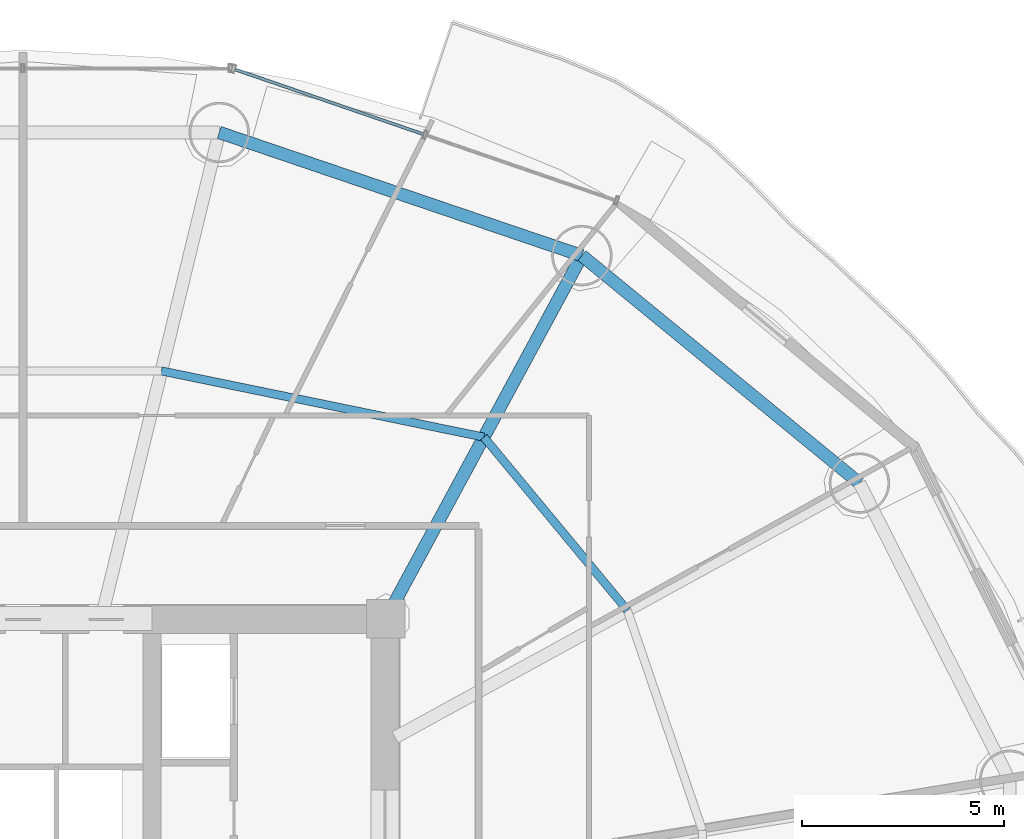
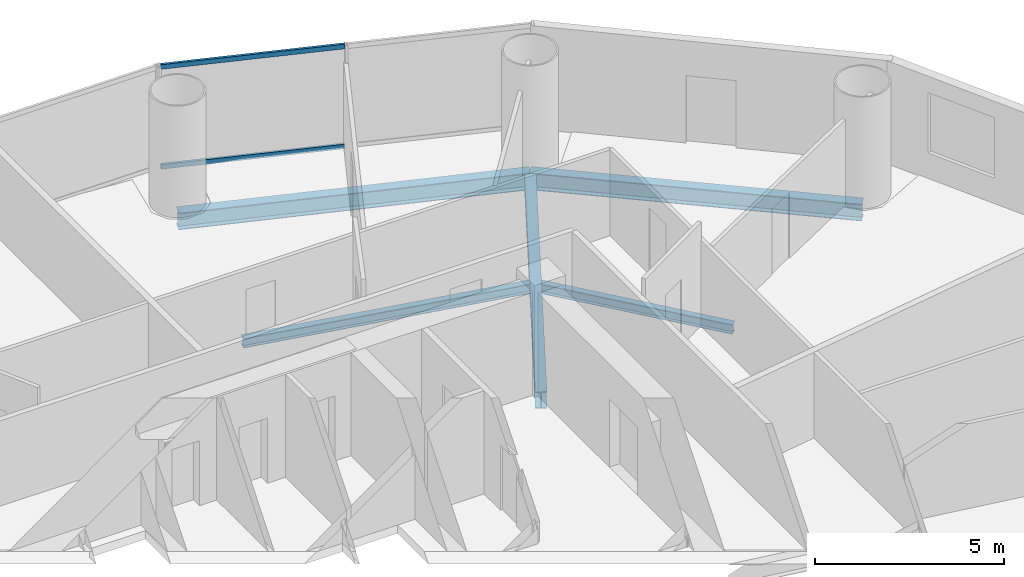
# One storey, part 19 of 29: 5 beams, 2 members, 1 element without a shape of its own.
"""IFC4 building model written with IfcOpenShell, lengths in metres."""

from ifc_helpers import new_model, si_unit, direction, frame, origin, origin_2d, place, context, subcontext, project, spatial, hollow_rectangle, i_section, extrude, source, transform, mapped, material, material_profile, profile_set, type_object, element, aggregate, save


model = new_model("IFC4")

# Units and contexts
model_context = context("Model", 3, precision=1e-05, world=origin(), true_north=direction((-0.2419218956, 0.970295726276)))
body_context = subcontext(model_context, "Body", "Model", "MODEL_VIEW")
ifc_project = project(units=[si_unit("LENGTHUNIT", "METRE"), si_unit("AREAUNIT", "SQUARE_METRE"), si_unit("VOLUMEUNIT", "CUBIC_METRE"), si_unit("PLANEANGLEUNIT", "RADIAN"), si_unit("MASSUNIT", "GRAM", prefix="KILO")], contexts=[model_context])

# Site, building, storey
site_placement = place(None, origin())
site = spatial("IfcSite", under=ifc_project, at=site_placement, CompositionType="ELEMENT")
building_placement = place(site_placement, origin())
building = spatial("IfcBuilding", under=site, at=building_placement, Name="Cobrevalo Terracotta Tower", CompositionType="ELEMENT")
storey_placement = place(building_placement, frame((0.0, 0.0, 87.0)))
storey = spatial("IfcBuildingStorey", under=building, at=storey_placement, Name="L22", CompositionType="ELEMENT", Elevation=87.0)

# Beams
ifc_material_1 = material(Name="Steel S355", Category="steel")
ifc_material_profile_1 = material_profile(ifc_material_1, i_section(OverallWidth=0.31201171875, OverallDepth=0.54296875, WebThickness=0.0126953125, FlangeThickness=0.020263671875, at=origin_2d()), Name="W 530x150")
ifc_profile_set_1 = profile_set([ifc_material_profile_1], Name="Steel S355")
beam_type_1 = type_object("IfcBeamType", Name="Structural Beam W 530x150 (Steel S355)", PredefinedType="BEAM", material=ifc_profile_set_1)
beam_1_placement = place(storey_placement, frame((51.861572265625, 43.803466796875, -0.54638671875), z_axis=(-0.475128224431, -0.879916570107, 0.0), x_axis=(0.879916570107, -0.475128224431, 0.0)))
element("IfcBeam", 1, at=beam_1_placement, inside=storey, type_object=beam_type_1, Name="L22 radial floor girder 03", PredefinedType="BEAM", context=body_context, shape_type="SweptSolid", body=[
    extrude(i_section(OverallWidth=0.31201171875, OverallDepth=0.54296875, WebThickness=0.0126953125, FlangeThickness=0.020263671875, at=origin_2d()), origin(), (0.0, 0.0, 1.0), 10.232177734375),
])
ifc_material_profile_2 = material_profile(ifc_material_1, i_section(OverallWidth=0.2041015625, OverallDepth=0.305908203125, WebThickness=0.008544921875, FlangeThickness=0.0146484375, at=origin_2d()), Name="W 310x67")
ifc_profile_set_2 = profile_set([ifc_material_profile_2], Name="Steel S355")
beam_type_2 = type_object("IfcBeamType", Name="Structural Joist W 310x67 (Steel S355)", PredefinedType="JOIST", material=ifc_profile_set_2)
beam_2_placement = place(storey_placement, frame((52.987548828125, 35.00830078125, -0.427978515625), z_axis=(-0.6379592588, 0.77007011636, 0.0), x_axis=(-0.77007011636, -0.6379592588, 0.0)))
element("IfcBeam", 2, at=beam_2_placement, inside=storey, type_object=beam_type_2, Name="L22 circumferential secondary floor joist 02", PredefinedType="JOIST", context=body_context, shape_type="SweptSolid", body=[
    extrude(i_section(OverallWidth=0.2041015625, OverallDepth=0.305908203125, WebThickness=0.008544921875, FlangeThickness=0.0146484375, at=origin_2d()), origin(), (0.0, 0.0, 1.0), 5.575439453125),
])
beam_3_placement = place(storey_placement, frame((49.4306640625, 39.3017578125, -0.427978515625), z_axis=(-0.979574469315, 0.201081722357, 0.0), x_axis=(-0.201081722357, -0.979574469315, 0.0)))
element("IfcBeam", 3, at=beam_3_placement, inside=storey, type_object=beam_type_2, Name="L22 circumferential secondary floor joist 03", PredefinedType="JOIST", context=body_context, shape_type="SweptSolid", body=[
    extrude(i_section(OverallWidth=0.2041015625, OverallDepth=0.305908203125, WebThickness=0.008544921875, FlangeThickness=0.0146484375, at=origin_2d()), origin(), (0.0, 0.0, 1.0), 8.1650390625),
])
ifc_material_profile_3 = material_profile(ifc_material_1, i_section(OverallWidth=0.31201171875, OverallDepth=0.54296875, WebThickness=0.0126953125, FlangeThickness=0.020263671875, at=origin_2d()), Name="W 530x150")
ifc_profile_set_3 = profile_set([ifc_material_profile_3], Name="Steel S355")
beam_type_3 = type_object("IfcBeamType", Name="Structural Spandrel W 530x150 (Steel S355)", PredefinedType="SPANDREL", material=ifc_profile_set_3)
beam_4_placement = place(storey_placement, frame((58.7451171875, 38.161376953125, -0.54638671875), z_axis=(-0.773400923541, 0.633917196064, 0.0), x_axis=(-0.633917196064, -0.773400923541, 0.0)))
element("IfcBeam", 4, at=beam_4_placement, inside=storey, type_object=beam_type_3, Name="L22 perimeter ring spandrel 02", PredefinedType="SPANDREL", context=body_context, shape_type="SweptSolid", body=[
    extrude(i_section(OverallWidth=0.31201171875, OverallDepth=0.54296875, WebThickness=0.0126953125, FlangeThickness=0.020263671875, at=origin_2d()), origin(), (0.0, 0.0, 1.0), 8.900390625),
])
beam_5_placement = place(storey_placement, frame((51.861572265625, 43.803466796875, -0.54638671875), z_axis=(-0.946910528816, 0.32149720126, 0.0), x_axis=(-0.32149720126, -0.946910528816, 0.0)))
element("IfcBeam", 5, at=beam_5_placement, inside=storey, type_object=beam_type_3, Name="L22 perimeter ring spandrel 03", PredefinedType="SPANDREL", context=body_context, shape_type="SweptSolid", body=[
    extrude(i_section(OverallWidth=0.31201171875, OverallDepth=0.54296875, WebThickness=0.0126953125, FlangeThickness=0.020263671875, at=origin_2d()), origin(), (0.0, 0.0, 1.0), 9.498291015625),
])

# Curtain wall, members
ifc_material_2 = material(Name="Anodized aluminium", Category="aluminium")
curtain_wall_type = type_object("IfcCurtainWallType", Name="Lower-tower unitised acoustic low-E curtain wall CW-U1", PredefinedType="NOTDEFINED", material=ifc_material_2)
curtain_wall_placement = place(storey_placement, origin())
curtain_wall = element("IfcCurtainWall", 6, at=curtain_wall_placement, inside=storey, type_object=curtain_wall_type, Name="L22 curtain wall CW-L22-S03", PredefinedType="NOTDEFINED")
ifc_material_profile_4 = material_profile(ifc_material_2, hollow_rectangle(XDim=0.074951171875, YDim=0.14990234375, WallThickness=0.00439453125, at=origin_2d()), Name="CWT 75x150")
ifc_profile_set_4 = profile_set([ifc_material_profile_4], Name="Anodized aluminium")
member_type = type_object("IfcMemberType", Name="Tower unitised aluminium transom 75x150", PredefinedType="USERDEFINED", material=ifc_profile_set_4)
shared_shape = source(origin(), body_context, "Body", "SweptSolid", [
    extrude(hollow_rectangle(XDim=0.074951171875, YDim=0.14990234375, WallThickness=0.00439453125, at=origin_2d()), origin(), (0.0, 0.0, 1.0), 4.944580078125),
])
member_1_placement = place(storey_placement, frame((47.934814453125, 46.811279296875, 0.050048828125), z_axis=(-0.945597859971, 0.32533780478, 0.0), x_axis=(-0.32533780478, -0.945597859971, 0.0)))
member_1 = element("IfcMember", 7, at=member_1_placement, type_object=member_type, Name="CW-L22-S03 transom B02-T1", ObjectType="TRANSOM", PredefinedType="USERDEFINED", context=body_context, shape_type="MappedRepresentation", body=[
    mapped(shared_shape, transform((0.0, 0.0, 0.0), scale=1.0)),
])
member_2_placement = place(storey_placement, frame((47.934814453125, 46.811279296875, 3.27490234375), z_axis=(-0.945597859971, 0.32533780478, 0.0), x_axis=(-0.32533780478, -0.945597859971, 0.0)))
member_2 = element("IfcMember", 8, at=member_2_placement, type_object=member_type, Name="CW-L22-S03 transom B02-T2", ObjectType="TRANSOM", PredefinedType="USERDEFINED", context=body_context, shape_type="MappedRepresentation", body=[
    mapped(shared_shape, transform((0.0, 0.0, 0.0), scale=1.0)),
])
aggregate(curtain_wall, [member_1, member_2])

save(model, "model.ifc")
